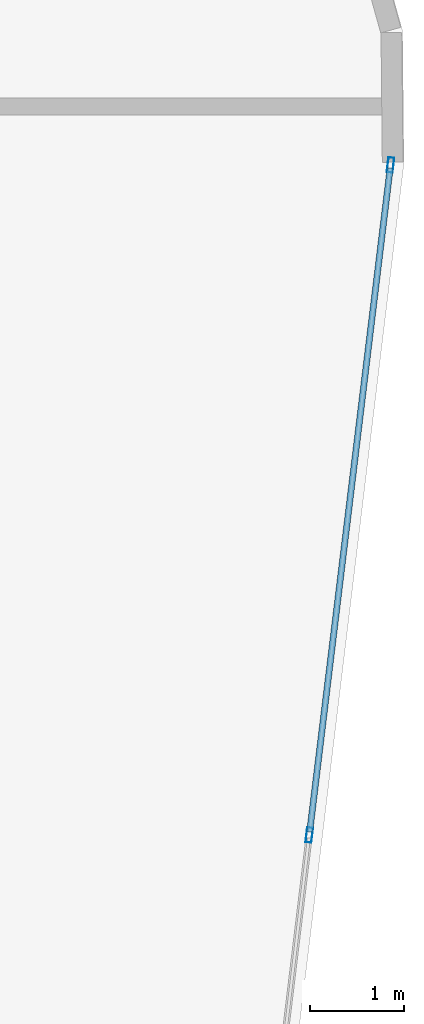
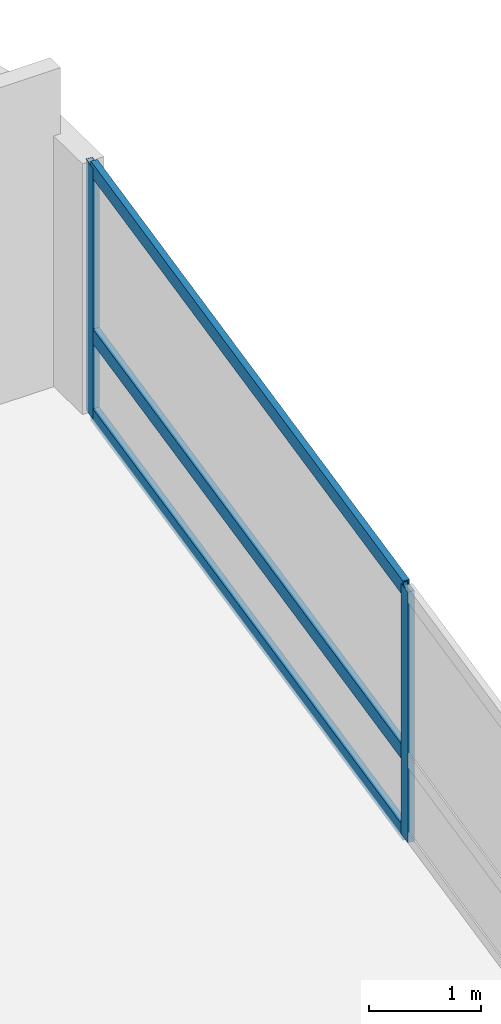
# One storey, part 18 of 25: 5 members, 1 element without a shape of its own.
"""IFC4 building model written with IfcOpenShell, lengths in metres."""

from ifc_helpers import new_model, si_unit, direction, frame, origin, origin_2d, place, context, subcontext, project, spatial, hollow_rectangle, extrude, material, layer, layer_set, material_profile, profile_set, type_object, element, aggregate, save


model = new_model("IFC4")

# Units and contexts
model_context = context("Model", 3, precision=1e-05, world=origin(), true_north=direction((0.0, 1.0)))
body_context = subcontext(model_context, "Body", "Model", "MODEL_VIEW")
ifc_project = project(units=[si_unit("LENGTHUNIT", "METRE"), si_unit("AREAUNIT", "SQUARE_METRE"), si_unit("VOLUMEUNIT", "CUBIC_METRE"), si_unit("PLANEANGLEUNIT", "RADIAN"), si_unit("MASSUNIT", "GRAM", prefix="KILO")], contexts=[model_context])

# Site, building, storey
site_placement = place(None, origin())
site = spatial("IfcSite", under=ifc_project, at=site_placement, CompositionType="ELEMENT")
building_placement = place(site_placement, origin())
building = spatial("IfcBuilding", under=site, at=building_placement, Name="Varnelok Gate Tower", CompositionType="ELEMENT")
storey_placement = place(building_placement, frame((0.0, 0.0, 132.800048828125)))
storey = spatial("IfcBuildingStorey", under=building, at=storey_placement, Name="L33", CompositionType="ELEMENT", Elevation=132.800048828125)

# Curtain wall, members
ifc_material = material(Name="Anodized Aluminum Alloy 6063-T6", Category="aluminium")
ifc_layer = layer(ifc_material, 0.179931640625)
ifc_layer_set = layer_set([ifc_layer], Name="Anodized Aluminum Alloy 6063-T6")
curtain_wall_type = type_object("IfcCurtainWallType", Name="CW3-HOTEL-VISION", PredefinedType="USERDEFINED", material=ifc_layer_set)
curtain_wall_placement = place(storey_placement, origin())
curtain_wall = element("IfcCurtainWall", 1, at=curtain_wall_placement, inside=storey, type_object=curtain_wall_type, Name="L33 East End Vision Curtain Wall", ObjectType="UNITISED CURTAIN WALL", PredefinedType="USERDEFINED")
ifc_material_profile_1 = material_profile(ifc_material, hollow_rectangle(XDim=0.06494140625, YDim=0.159912109375, WallThickness=0.00390625, at=origin_2d()), Name="ALU160X65X4")
ifc_profile_set_1 = profile_set([ifc_material_profile_1], Name="Anodized Aluminum Alloy 6063-T6")
member_type_1 = type_object("IfcMemberType", Name="CW-MULL-160", PredefinedType="MULLION", material=ifc_profile_set_1)
member_1_placement = place(storey_placement, frame((78.153076171875, 38.677001953125, 0.0), z_axis=(0.0, 0.0, 1.0), x_axis=(0.99273188146, -0.120347046212, 0.0)))
member_1 = element("IfcMember", 2, at=member_1_placement, type_object=member_type_1, Name="CW3 mullion 1", PredefinedType="MULLION", context=body_context, shape_type="SweptSolid", body=[
    extrude(hollow_rectangle(XDim=0.06494140625, YDim=0.159912109375, WallThickness=0.00390625, at=origin_2d()), origin(), (0.0, 0.0, 1.0), 2.72998046875),
])
member_2_placement = place(storey_placement, frame((77.290283203125, 31.5615234375, 0.0), z_axis=(0.0, 0.0, 1.0), x_axis=(0.99273188146, -0.120347046212, 0.0)))
member_2 = element("IfcMember", 3, at=member_2_placement, type_object=member_type_1, Name="CW3 mullion 2", PredefinedType="MULLION", context=body_context, shape_type="SweptSolid", body=[
    extrude(hollow_rectangle(XDim=0.06494140625, YDim=0.159912109375, WallThickness=0.00390625, at=origin_2d()), origin(), (0.0, 0.0, 1.0), 2.72998046875),
])
ifc_material_profile_2 = material_profile(ifc_material, hollow_rectangle(XDim=0.06494140625, YDim=0.159912109375, WallThickness=0.00390625, at=origin_2d()), Name="ALU160X65X4")
ifc_profile_set_2 = profile_set([ifc_material_profile_2], Name="Anodized Aluminum Alloy 6063-T6")
member_type_2 = type_object("IfcMemberType", Name="CW-TRAN-160", PredefinedType="USERDEFINED", material=ifc_profile_set_2)
member_3_placement = place(storey_placement, frame((78.149169921875, 38.644775390625, 0.032470703125), z_axis=(-0.120374481497, -0.992728555147, 0.0), x_axis=(0.992728555147, -0.120374481497, 0.0)))
member_3 = element("IfcMember", 4, at=member_3_placement, type_object=member_type_2, Name="CW3 transom 1.1", ObjectType="TRANSOM", PredefinedType="USERDEFINED", context=body_context, shape_type="SweptSolid", body=[
    extrude(hollow_rectangle(XDim=0.06494140625, YDim=0.159912109375, WallThickness=0.00390625, at=origin_2d()), origin(), (0.0, 0.0, 1.0), 7.102783203125),
])
member_4_placement = place(storey_placement, frame((78.149169921875, 38.644775390625, 0.89990234375), z_axis=(-0.120374481497, -0.992728555147, 0.0), x_axis=(0.992728555147, -0.120374481497, 0.0)))
member_4 = element("IfcMember", 5, at=member_4_placement, type_object=member_type_2, Name="CW3 transom 1.2", ObjectType="TRANSOM", PredefinedType="USERDEFINED", context=body_context, shape_type="SweptSolid", body=[
    extrude(hollow_rectangle(XDim=0.06494140625, YDim=0.159912109375, WallThickness=0.00390625, at=origin_2d()), origin(), (0.0, 0.0, 1.0), 7.102783203125),
])
member_5_placement = place(storey_placement, frame((78.149169921875, 38.644775390625, 2.697509765625), z_axis=(-0.120374481497, -0.992728555147, 0.0), x_axis=(0.992728555147, -0.120374481497, 0.0)))
member_5 = element("IfcMember", 6, at=member_5_placement, type_object=member_type_2, Name="CW3 transom 1.3", ObjectType="TRANSOM", PredefinedType="USERDEFINED", context=body_context, shape_type="SweptSolid", body=[
    extrude(hollow_rectangle(XDim=0.06494140625, YDim=0.159912109375, WallThickness=0.00390625, at=origin_2d()), origin(), (0.0, 0.0, 1.0), 7.102783203125),
])
aggregate(curtain_wall, [member_1, member_2, member_3, member_4, member_5])

save(model, "model.ifc")
